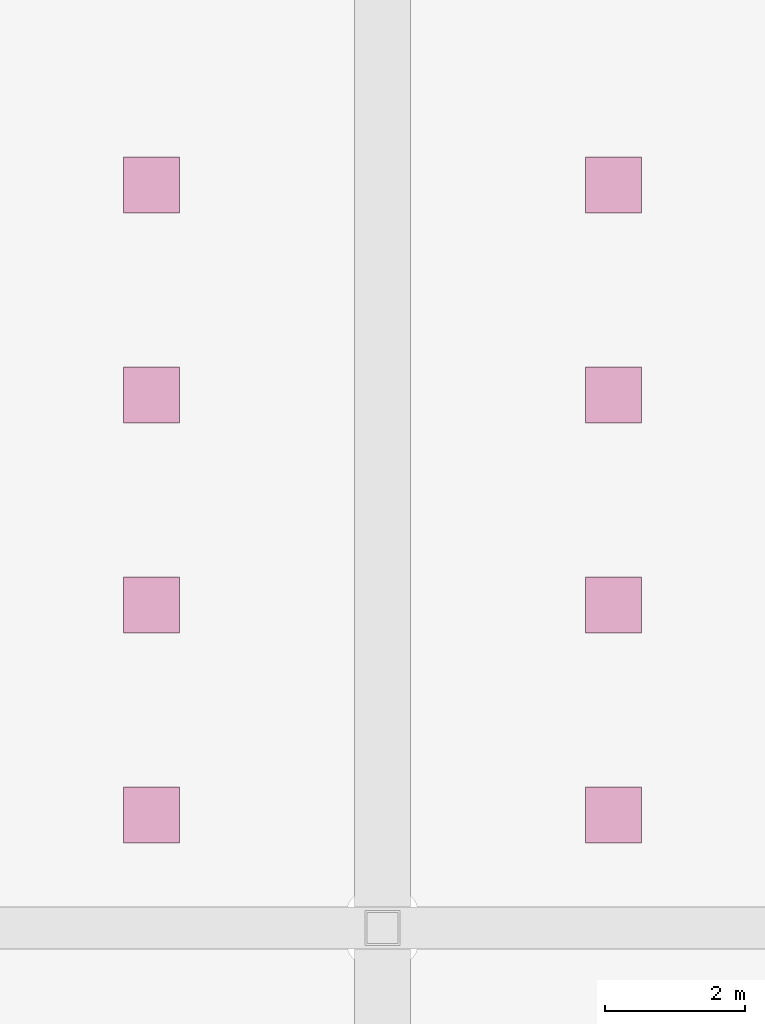
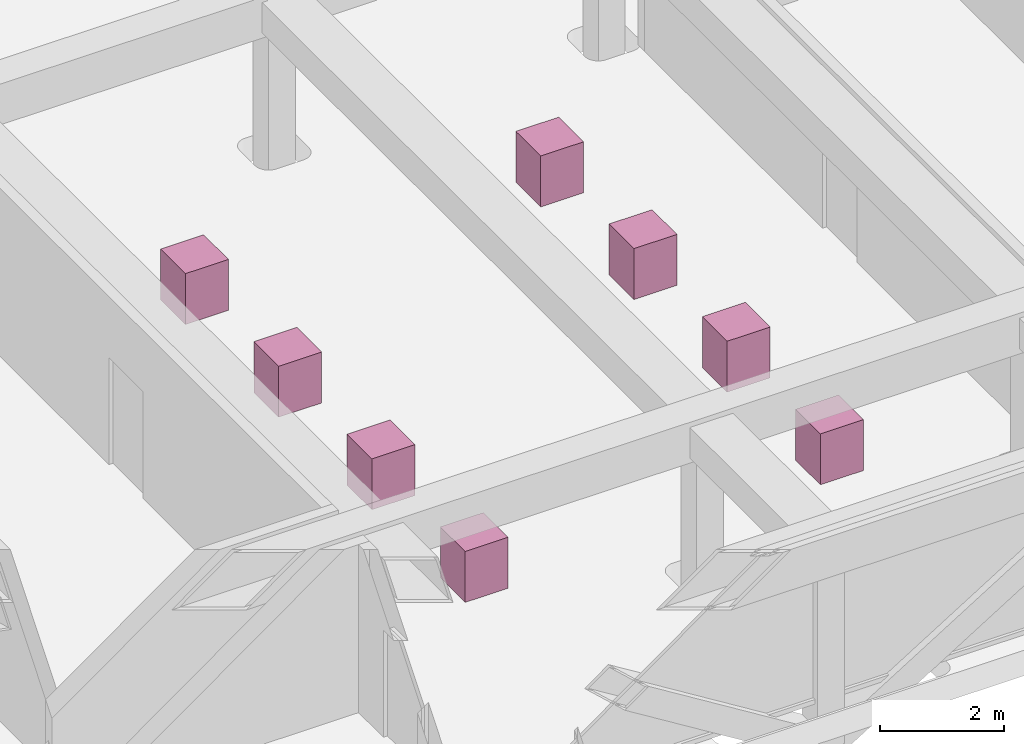
# One storey, part 30 of 30: 8 furniture elements.
"""IFC4 building model written with IfcOpenShell, lengths in metres."""

import ifcopenshell
import ifcopenshell.guid

model = None  # the IFC model being written
_history = None  # IfcOwnerHistory: only IFC2X3 demands one
_inside = {}  # id of a spatial element -> (the spatial element, [elements in it])
_under = {}  # id of a project, library or spatial element -> (it, [spatial elements below it])
_declared = {}  # id of a project -> (the project, [libraries it declares])
_typed = {}  # id of a type object -> (the type object, [elements of that type])
_made_of = {}  # id of a material, layer set ... -> (it, [elements and type objects made of it])


def new_model(schema):
    """Start an empty IFC model of exactly this schema.

    Asked for "IFC4X3", IfcOpenShell would pick the latest addendum, in which some entities
    have other attributes; the version numbers below select the first issue.
    IFC2X3 requires an IfcOwnerHistory on every rooted entity: one is made here for all.
    """
    global model, _history
    if schema == "IFC4X3":
        model = ifcopenshell.file(schema_version=(4, 3, 0, 0))
    else:
        model = ifcopenshell.file(schema=schema)
    _inside.clear()
    _under.clear()
    _declared.clear()
    _typed.clear()
    _made_of.clear()
    _history = None
    if model.schema == "IFC2X3":
        org = make("IfcOrganization", Name="unknown")
        user = make(
            "IfcPersonAndOrganization",
            ThePerson=make("IfcPerson", FamilyName="unknown"),
            TheOrganization=org,
        )
        app = make(
            "IfcApplication",
            ApplicationDeveloper=org,
            Version="unknown",
            ApplicationFullName="unknown",
            ApplicationIdentifier="unknown",
        )
        _history = make(
            "IfcOwnerHistory",
            OwningUser=user,
            OwningApplication=app,
            ChangeAction="ADDED",
            CreationDate=0,
        )
    return model


def make(cls, **values):
    """One entity of the class cls with the attributes given. An attribute that is None is left unset."""
    return model.create_entity(
        cls, **{name: value for name, value in values.items() if value is not None}
    )


def rooted(cls, **values):
    """An entity with a GlobalId (a new one), such as an element, a storey or a relation."""
    return make(cls, GlobalId=ifcopenshell.guid.new(), OwnerHistory=_history, **values)


def si_unit(unit_type, name, prefix=None):
    """IfcSIUnit, for example si_unit("LENGTHUNIT", "METRE", prefix="MILLI")."""
    return make("IfcSIUnit", UnitType=unit_type, Prefix=prefix, Name=name)


def assignment(units):
    """IfcUnitAssignment: the units of a project."""
    return None if units is None else make("IfcUnitAssignment", Units=units)


def point(xyz):
    """IfcCartesianPoint."""
    return None if xyz is None else make("IfcCartesianPoint", Coordinates=xyz)


def direction(xyz):
    """IfcDirection."""
    return None if xyz is None else make("IfcDirection", DirectionRatios=xyz)


def frame(location, z_axis=None, x_axis=None):
    """IfcAxis2Placement3D, a coordinate frame: its origin and axes. An axis left out is left unset."""
    return make(
        "IfcAxis2Placement3D",
        Location=point(location),
        Axis=direction(z_axis),
        RefDirection=direction(x_axis),
    )


def frame_2d(location, x_axis=None):
    """IfcAxis2Placement2D, a coordinate frame in the plane: its origin and x axis."""
    return make(
        "IfcAxis2Placement2D", Location=point(location), RefDirection=direction(x_axis)
    )


def origin():
    """The frame at (0, 0, 0) with its axes left unset."""
    return frame((0.0, 0.0, 0.0))


def origin_2d():
    """The frame at (0, 0) in the plane with its x axis left unset."""
    return frame_2d((0.0, 0.0))


def place(relative_to, where):
    """IfcLocalPlacement: puts the frame where relative to a parent placement (None: the world)."""
    return make(
        "IfcLocalPlacement", PlacementRelTo=relative_to, RelativePlacement=where
    )


def context(
    kind, dimensions, precision=None, world=None, true_north=None, identifier=None
):
    """IfcGeometricRepresentationContext, for example the 3D "Model" context."""
    return make(
        "IfcGeometricRepresentationContext",
        ContextIdentifier=identifier,
        ContextType=kind,
        CoordinateSpaceDimension=dimensions,
        Precision=precision,
        WorldCoordinateSystem=world,
        TrueNorth=true_north,
    )


def subcontext(parent, identifier, kind, view, scale=None):
    """IfcGeometricRepresentationSubContext, for example "Body" below "Model"."""
    return make(
        "IfcGeometricRepresentationSubContext",
        ContextIdentifier=identifier,
        ContextType=kind,
        ParentContext=parent,
        TargetScale=scale,
        TargetView=view,
    )


def project(units=None, contexts=None):
    """IfcProject with its units and contexts."""
    return rooted(
        "IfcProject",
        Name="project",
        RepresentationContexts=contexts,
        UnitsInContext=assignment(units),
    )


def spatial(cls, under=None, at=None, **own):
    """A site, building, storey or space (cls), placed at a placement, below another one or the project."""
    s = rooted(cls, ObjectPlacement=at, **own)
    if under is not None:
        _under.setdefault(under.id(), (under, []))[1].append(s)
    return s


def profile(cls, at=None, kind="AREA", **sizes):
    """A parametric profile (cls). Its sizes go by their IFC names, for example OverallWidth=200.0."""
    return make(cls, ProfileType=kind, Position=at, **sizes)


def rectangle(**sizes):
    """IfcRectangleProfileDef."""
    return profile("IfcRectangleProfileDef", **sizes)


def extrude(swept, where, along, depth):
    """IfcExtrudedAreaSolid: the profile swept, set in the frame where, extruded along a direction by depth."""
    return make(
        "IfcExtrudedAreaSolid",
        SweptArea=swept,
        Position=where,
        ExtrudedDirection=direction(along),
        Depth=depth,
    )


def shape(context_of_items, identifier, shape_type, items):
    """IfcShapeRepresentation: the items that make up one representation, for example the "Body"."""
    return make(
        "IfcShapeRepresentation",
        ContextOfItems=context_of_items,
        RepresentationIdentifier=identifier,
        RepresentationType=shape_type,
        Items=items,
    )


def material(Name=None, Category=None):
    """IfcMaterial."""
    return make("IfcMaterial", Name=Name, Category=Category)


def made_of(thing, what):
    """Note that an element or type object is made of a material, layer set ...; save() writes the relation."""
    if what is not None:
        _made_of.setdefault(what.id(), (what, []))[1].append(thing)
    return thing


def type_object(cls, material=None, **own):
    """A type object (cls), such as IfcWallType, which elements share."""
    return made_of(rooted(cls, **own), material)


def element(
    cls,
    number,
    at=None,
    inside=None,
    cuts=None,
    type_object=None,
    material=None,
    context=None,
    identifier="Body",
    shape_type=None,
    held_by="IfcProductDefinitionShape",
    body=None,
    shapes=None,
    **own,
):
    """One element of the class cls, such as IfcWall. Its Tag is "e" and its number.

    at: its placement. inside: the storey or other place that contains it. cuts: it is an
    opening in that element (IfcRelVoidsElement). A single representation is given by context,
    identifier, shape_type and body (its items); several are given by shapes. held_by: the class
    of the entity that holds the representations. save() writes the other relations.
    """
    e = rooted(cls, Tag="e%d" % number, ObjectPlacement=at, **own)
    if body is not None:
        shapes = [shape(context, identifier, shape_type, body)]
    if shapes is not None:
        e.Representation = make(held_by, Representations=shapes)
    if inside is not None:
        _inside.setdefault(inside.id(), (inside, []))[1].append(e)
    if cuts is not None:
        rooted(
            "IfcRelVoidsElement", RelatingBuildingElement=cuts, RelatedOpeningElement=e
        )
    if type_object is not None:
        _typed.setdefault(type_object.id(), (type_object, []))[1].append(e)
    return made_of(e, material)


def aggregate(whole, parts):
    """IfcRelAggregates: a whole, such as a stair, and the parts it consists of."""
    return rooted("IfcRelAggregates", RelatingObject=whole, RelatedObjects=parts)


def save(model, path):
    """Write the relations noted so far, then the file.

    IfcRelAggregates (storeys below a building ...), IfcRelContainedInSpatialStructure (elements
    in a storey), IfcRelDefinesByType, IfcRelAssociatesMaterial and IfcRelDeclares: one each for
    every whole, place, type object, material and project.
    """
    for whole, parts in _under.values():
        aggregate(whole, parts)
    for where, things in _inside.values():
        rooted(
            "IfcRelContainedInSpatialStructure",
            RelatedElements=things,
            RelatingStructure=where,
        )
    for kind, things in _typed.values():
        rooted("IfcRelDefinesByType", RelatedObjects=things, RelatingType=kind)
    for what, things in _made_of.values():
        rooted("IfcRelAssociatesMaterial", RelatedObjects=things, RelatingMaterial=what)
    for by, libraries in _declared.values():
        rooted("IfcRelDeclares", RelatingContext=by, RelatedDefinitions=libraries)
    model.write(path)


model = new_model("IFC4")

# Units and contexts
model_context = context("Model", 3, precision=1e-05, world=origin(), true_north=direction((0.0, 1.0)))
body_context = subcontext(model_context, "Body", "Model", "MODEL_VIEW")
ifc_project = project(units=[si_unit("LENGTHUNIT", "METRE"), si_unit("AREAUNIT", "SQUARE_METRE"), si_unit("VOLUMEUNIT", "CUBIC_METRE"), si_unit("PLANEANGLEUNIT", "RADIAN"), si_unit("MASSUNIT", "GRAM", prefix="KILO")], contexts=[model_context])

# Site, building, storey
site_placement = place(None, origin())
site = spatial("IfcSite", under=ifc_project, at=site_placement, CompositionType="ELEMENT")
building_placement = place(site_placement, origin())
building = spatial("IfcBuilding", under=site, at=building_placement, Name="Mirante Cascada Hotel Towers", CompositionType="ELEMENT")
storey_placement = place(building_placement, frame((0.0, 0.0, 258.4)))
storey = spatial("IfcBuildingStorey", under=building, at=storey_placement, Name="L62", CompositionType="ELEMENT", Elevation=258.4)

# Furniture
ifc_material = material(Name="Painted timber", Category="wood")
furniture_type = type_object("IfcFurnitureType", Name="Exhibition plinth 800x800x1000", AssemblyPlace="NOTDEFINED", PredefinedType="TABLE", material=ifc_material)
for number, where, z_axis, x_axis, name in (
    (1, (-3.3, -16.0, 0.0), (0.0, 0.0, 1.0), (1.0, 0.0, 0.0), "Exhibition plinth L62 1"),
    (2, (-3.3, -13.0, 0.0), (0.0, 0.0, 1.0), (1.0, 0.0, 0.0), "Exhibition plinth L62 2"),
    (3, (-3.3, -10.0, 0.0), (0.0, 0.0, 1.0), (1.0, 0.0, 0.0), "Exhibition plinth L62 3"),
    (4, (-3.3, -7.0, 0.0), (0.0, 0.0, 1.0), (1.0, 0.0, 0.0), "Exhibition plinth L62 4"),
    (5, (3.3, -16.0, 0.0), (0.0, 0.0, 1.0), (1.0, 0.0, 0.0), "Exhibition plinth L62 5"),
    (6, (3.3, -13.0, 0.0), (0.0, 0.0, 1.0), (1.0, 0.0, 0.0), "Exhibition plinth L62 6"),
    (7, (3.3, -10.0, 0.0), (0.0, 0.0, 1.0), (1.0, 0.0, 0.0), "Exhibition plinth L62 7"),
    (8, (3.3, -7.0, 0.0), (0.0, 0.0, 1.0), (1.0, 0.0, 0.0), "Exhibition plinth L62 8"),
):
    element("IfcFurniture", number, at=place(storey_placement, frame(where, z_axis=z_axis, x_axis=x_axis)), inside=storey, type_object=furniture_type, Name=name, PredefinedType="TABLE", context=body_context, shape_type="SweptSolid", body=[
        extrude(rectangle(XDim=0.8, YDim=0.8, at=origin_2d()), origin(), (0.0, 0.0, 1.0), 1.0),
    ])

save(model, "model.ifc")
